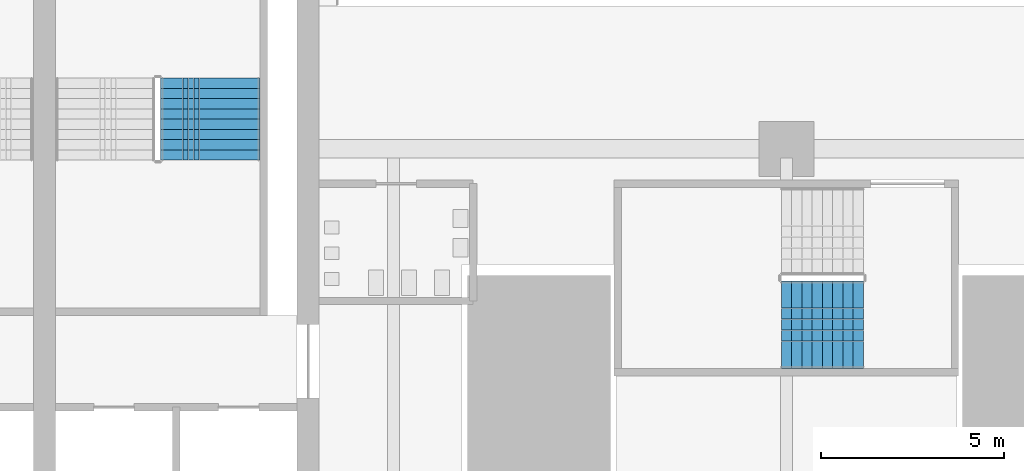
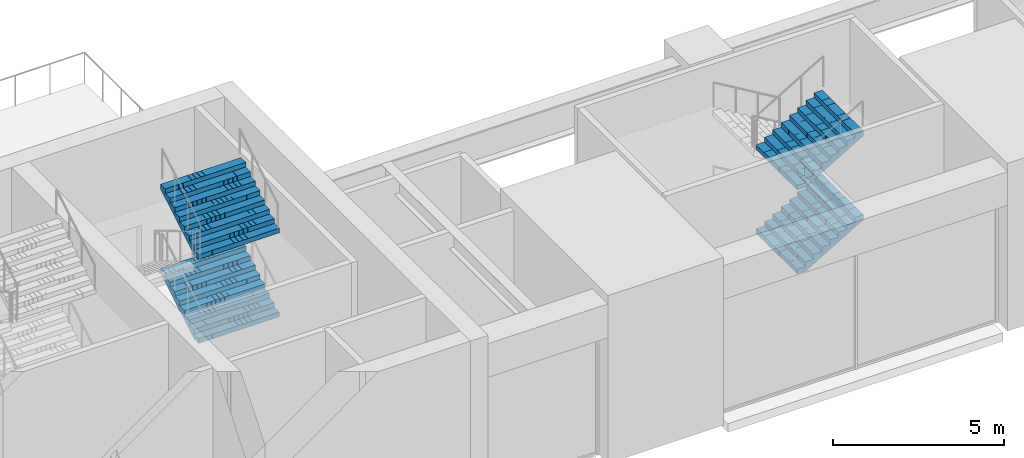
# One storey, part 20 of 41: 4 stair flights, 2 elements without a shape of their own.
"""IFC4 building model written with IfcOpenShell, lengths in metres."""

from ifc_helpers import new_model, si_unit, direction, frame, origin, place, context, subcontext, project, spatial, polyline, outline, extrude, material, type_object, element, aggregate, save


model = new_model("IFC4")

# Units and contexts
model_context = context("Model", 3, precision=1e-05, world=origin(), true_north=direction((0.0, 1.0)))
body_context = subcontext(model_context, "Body", "Model", "MODEL_VIEW")
ifc_project = project(units=[si_unit("LENGTHUNIT", "METRE"), si_unit("AREAUNIT", "SQUARE_METRE"), si_unit("VOLUMEUNIT", "CUBIC_METRE"), si_unit("PLANEANGLEUNIT", "RADIAN"), si_unit("MASSUNIT", "GRAM", prefix="KILO")], contexts=[model_context])

# Site, building, storey
site_placement = place(None, origin())
site = spatial("IfcSite", under=ifc_project, at=site_placement, CompositionType="ELEMENT")
building_placement = place(site_placement, origin())
building = spatial("IfcBuilding", under=site, at=building_placement, Name="Corbelhall Arena Tower", CompositionType="ELEMENT")
storey_placement = place(building_placement, frame((0.0, 0.0, 19.0)))
storey = spatial("IfcBuildingStorey", under=building, at=storey_placement, Name="L02", CompositionType="ELEMENT", Elevation=19.0)

# Stair, stair flights
ifc_material = material(Name="Reinforced concrete C40/50", Category="concrete")
stair_type = type_object("IfcStairType", Name="AR-EXIT-STAIR", PredefinedType="HALF_TURN_STAIR", material=ifc_material)
stair_1_placement = place(storey_placement, origin())
stair_1 = element("IfcStair", 1, at=stair_1_placement, inside=storey, type_object=stair_type, Name="L02 exit stair AS13", PredefinedType="HALF_TURN_STAIR")
stair_flight_type = type_object("IfcStairFlightType", Name="AR-EXIT-FLIGHT", PredefinedType="STRAIGHT", material=ifc_material)
stair_flight_1_placement = place(storey_placement, frame((-20.389892578125, -34.050048828125, 1.5), z_axis=(0.0, 0.0, 1.0), x_axis=(1.0, 0.0, 0.0)))
stair_flight_1 = element("IfcStairFlight", 2, at=stair_flight_1_placement, type_object=stair_flight_type, Name="AS13 flight 2", NumberOfRisers=9, NumberOfTreads=8, PredefinedType="STRAIGHT", RiserHeight=0.166666667, TreadLength=0.28, context=body_context, shape_type="SweptSolid", body=[
    extrude(outline(polyline([(0.0, 0.0), (0.0, 0.166748046875), (0.280029296875, 0.166748046875), (0.280029296875, 0.333251953125), (0.56005859375, 0.333251953125), (0.56005859375, 0.5), (0.840087890625, 0.5), (0.840087890625, 0.666748046875), (1.1201171875, 0.666748046875), (1.1201171875, 0.833251953125), (1.39990234375, 0.833251953125), (1.39990234375, 1.0), (1.679931640625, 1.0), (1.679931640625, 1.166748046875), (1.9599609375, 1.166748046875), (1.9599609375, 1.333251953125), (2.239990234375, 1.333251953125), (2.239990234375, 1.5), (2.239990234375, 1.158935546875), (0.29296875, 0.0), (0.0, 0.0)])), frame((0.0, 1.199951171875, 0.0), z_axis=(0.0, -1.0, 0.0), x_axis=(1.0, 0.0, 0.0)), (0.0, 0.0, 1.0), 0.449951171875),
    extrude(outline(polyline([(0.0, 0.0), (0.0, 0.166748046875), (0.280029296875, 0.166748046875), (0.280029296875, 0.333251953125), (0.56005859375, 0.333251953125), (0.56005859375, 0.5), (0.840087890625, 0.5), (0.840087890625, 0.666748046875), (1.1201171875, 0.666748046875), (1.1201171875, 0.833251953125), (1.39990234375, 0.833251953125), (1.39990234375, 1.0), (1.679931640625, 1.0), (1.679931640625, 1.166748046875), (1.9599609375, 1.166748046875), (1.9599609375, 1.333251953125), (2.239990234375, 1.333251953125), (2.239990234375, 1.5), (2.239990234375, 1.158935546875), (0.29296875, 0.0), (0.0, 0.0)])), frame((0.0, 0.745849609375, 0.0), z_axis=(0.0, -1.0, 0.0), x_axis=(1.0, 0.0, 0.0)), (0.0, 0.0, 1.0), 0.295166015625),
    extrude(outline(polyline([(0.0, 0.0), (0.0, 0.166748046875), (0.280029296875, 0.166748046875), (0.280029296875, 0.333251953125), (0.56005859375, 0.333251953125), (0.56005859375, 0.5), (0.840087890625, 0.5), (0.840087890625, 0.666748046875), (1.1201171875, 0.666748046875), (1.1201171875, 0.833251953125), (1.39990234375, 0.833251953125), (1.39990234375, 1.0), (1.679931640625, 1.0), (1.679931640625, 1.166748046875), (1.9599609375, 1.166748046875), (1.9599609375, 1.333251953125), (2.239990234375, 1.333251953125), (2.239990234375, 1.5), (2.239990234375, 1.158935546875), (0.29296875, 0.0), (0.0, 0.0)])), frame((0.0, 0.44677734375, 0.0), z_axis=(0.0, -1.0, 0.0), x_axis=(1.0, 0.0, 0.0)), (0.0, 0.0, 1.0), 0.295166015625),
    extrude(outline(polyline([(0.0, 0.0), (0.0, 0.166748046875), (0.280029296875, 0.166748046875), (0.280029296875, 0.333251953125), (0.56005859375, 0.333251953125), (0.56005859375, 0.5), (0.840087890625, 0.5), (0.840087890625, 0.666748046875), (1.1201171875, 0.666748046875), (1.1201171875, 0.833251953125), (1.39990234375, 0.833251953125), (1.39990234375, 1.0), (1.679931640625, 1.0), (1.679931640625, 1.166748046875), (1.9599609375, 1.166748046875), (1.9599609375, 1.333251953125), (2.239990234375, 1.333251953125), (2.239990234375, 1.5), (2.239990234375, 1.158935546875), (0.29296875, 0.0), (0.0, 0.0)])), frame((0.0, 0.147705078125, 0.0), z_axis=(0.0, -1.0, 0.0), x_axis=(1.0, 0.0, 0.0)), (0.0, 0.0, 1.0), 0.295166015625),
    extrude(outline(polyline([(0.0, 0.0), (0.0, 0.166748046875), (0.280029296875, 0.166748046875), (0.280029296875, 0.333251953125), (0.56005859375, 0.333251953125), (0.56005859375, 0.5), (0.840087890625, 0.5), (0.840087890625, 0.666748046875), (1.1201171875, 0.666748046875), (1.1201171875, 0.833251953125), (1.39990234375, 0.833251953125), (1.39990234375, 1.0), (1.679931640625, 1.0), (1.679931640625, 1.166748046875), (1.9599609375, 1.166748046875), (1.9599609375, 1.333251953125), (2.239990234375, 1.333251953125), (2.239990234375, 1.5), (2.239990234375, 1.158935546875), (0.29296875, 0.0), (0.0, 0.0)])), frame((0.0, -0.151611328125, 0.0), z_axis=(0.0, -1.0, 0.0), x_axis=(1.0, 0.0, 0.0)), (0.0, 0.0, 1.0), 0.295166015625),
    extrude(outline(polyline([(0.0, 0.0), (0.0, 0.166748046875), (0.280029296875, 0.166748046875), (0.280029296875, 0.333251953125), (0.56005859375, 0.333251953125), (0.56005859375, 0.5), (0.840087890625, 0.5), (0.840087890625, 0.666748046875), (1.1201171875, 0.666748046875), (1.1201171875, 0.833251953125), (1.39990234375, 0.833251953125), (1.39990234375, 1.0), (1.679931640625, 1.0), (1.679931640625, 1.166748046875), (1.9599609375, 1.166748046875), (1.9599609375, 1.333251953125), (2.239990234375, 1.333251953125), (2.239990234375, 1.5), (2.239990234375, 1.158935546875), (0.29296875, 0.0), (0.0, 0.0)])), frame((0.0, -0.45068359375, 0.0), z_axis=(0.0, -1.0, 0.0), x_axis=(1.0, 0.0, 0.0)), (0.0, 0.0, 1.0), 0.295166015625),
    extrude(outline(polyline([(0.0, 0.0), (0.0, 0.166748046875), (0.280029296875, 0.166748046875), (0.280029296875, 0.333251953125), (0.56005859375, 0.333251953125), (0.56005859375, 0.5), (0.840087890625, 0.5), (0.840087890625, 0.666748046875), (1.1201171875, 0.666748046875), (1.1201171875, 0.833251953125), (1.39990234375, 0.833251953125), (1.39990234375, 1.0), (1.679931640625, 1.0), (1.679931640625, 1.166748046875), (1.9599609375, 1.166748046875), (1.9599609375, 1.333251953125), (2.239990234375, 1.333251953125), (2.239990234375, 1.5), (2.239990234375, 1.158935546875), (0.29296875, 0.0), (0.0, 0.0)])), frame((0.0, -0.75, 0.0), z_axis=(0.0, -1.0, 0.0), x_axis=(1.0, 0.0, 0.0)), (0.0, 0.0, 1.0), 0.449951171875),
])
stair_flight_2_placement = place(storey_placement, frame((-20.389892578125, -34.050048828125, 4.5), z_axis=(0.0, 0.0, 1.0), x_axis=(1.0, 0.0, 0.0)))
stair_flight_2 = element("IfcStairFlight", 3, at=stair_flight_2_placement, type_object=stair_flight_type, Name="AS13 flight 4", NumberOfRisers=9, NumberOfTreads=8, PredefinedType="STRAIGHT", RiserHeight=0.166666667, TreadLength=0.28, context=body_context, shape_type="SweptSolid", body=[
    extrude(outline(polyline([(0.0, 0.0), (0.0, 0.166748046875), (0.280029296875, 0.166748046875), (0.280029296875, 0.333251953125), (0.56005859375, 0.333251953125), (0.56005859375, 0.5), (0.840087890625, 0.5), (0.840087890625, 0.666748046875), (1.1201171875, 0.666748046875), (1.1201171875, 0.833251953125), (1.39990234375, 0.833251953125), (1.39990234375, 1.0), (1.679931640625, 1.0), (1.679931640625, 1.166748046875), (1.9599609375, 1.166748046875), (1.9599609375, 1.333251953125), (2.239990234375, 1.333251953125), (2.239990234375, 1.5), (2.239990234375, 1.158935546875), (0.29296875, 0.0), (0.0, 0.0)])), frame((0.0, 1.199951171875, 0.0), z_axis=(0.0, -1.0, 0.0), x_axis=(1.0, 0.0, 0.0)), (0.0, 0.0, 1.0), 0.449951171875),
    extrude(outline(polyline([(0.0, 0.0), (0.0, 0.166748046875), (0.280029296875, 0.166748046875), (0.280029296875, 0.333251953125), (0.56005859375, 0.333251953125), (0.56005859375, 0.5), (0.840087890625, 0.5), (0.840087890625, 0.666748046875), (1.1201171875, 0.666748046875), (1.1201171875, 0.833251953125), (1.39990234375, 0.833251953125), (1.39990234375, 1.0), (1.679931640625, 1.0), (1.679931640625, 1.166748046875), (1.9599609375, 1.166748046875), (1.9599609375, 1.333251953125), (2.239990234375, 1.333251953125), (2.239990234375, 1.5), (2.239990234375, 1.158935546875), (0.29296875, 0.0), (0.0, 0.0)])), frame((0.0, 0.745849609375, 0.0), z_axis=(0.0, -1.0, 0.0), x_axis=(1.0, 0.0, 0.0)), (0.0, 0.0, 1.0), 0.295166015625),
    extrude(outline(polyline([(0.0, 0.0), (0.0, 0.166748046875), (0.280029296875, 0.166748046875), (0.280029296875, 0.333251953125), (0.56005859375, 0.333251953125), (0.56005859375, 0.5), (0.840087890625, 0.5), (0.840087890625, 0.666748046875), (1.1201171875, 0.666748046875), (1.1201171875, 0.833251953125), (1.39990234375, 0.833251953125), (1.39990234375, 1.0), (1.679931640625, 1.0), (1.679931640625, 1.166748046875), (1.9599609375, 1.166748046875), (1.9599609375, 1.333251953125), (2.239990234375, 1.333251953125), (2.239990234375, 1.5), (2.239990234375, 1.158935546875), (0.29296875, 0.0), (0.0, 0.0)])), frame((0.0, 0.44677734375, 0.0), z_axis=(0.0, -1.0, 0.0), x_axis=(1.0, 0.0, 0.0)), (0.0, 0.0, 1.0), 0.295166015625),
    extrude(outline(polyline([(0.0, 0.0), (0.0, 0.166748046875), (0.280029296875, 0.166748046875), (0.280029296875, 0.333251953125), (0.56005859375, 0.333251953125), (0.56005859375, 0.5), (0.840087890625, 0.5), (0.840087890625, 0.666748046875), (1.1201171875, 0.666748046875), (1.1201171875, 0.833251953125), (1.39990234375, 0.833251953125), (1.39990234375, 1.0), (1.679931640625, 1.0), (1.679931640625, 1.166748046875), (1.9599609375, 1.166748046875), (1.9599609375, 1.333251953125), (2.239990234375, 1.333251953125), (2.239990234375, 1.5), (2.239990234375, 1.158935546875), (0.29296875, 0.0), (0.0, 0.0)])), frame((0.0, 0.147705078125, 0.0), z_axis=(0.0, -1.0, 0.0), x_axis=(1.0, 0.0, 0.0)), (0.0, 0.0, 1.0), 0.295166015625),
    extrude(outline(polyline([(0.0, 0.0), (0.0, 0.166748046875), (0.280029296875, 0.166748046875), (0.280029296875, 0.333251953125), (0.56005859375, 0.333251953125), (0.56005859375, 0.5), (0.840087890625, 0.5), (0.840087890625, 0.666748046875), (1.1201171875, 0.666748046875), (1.1201171875, 0.833251953125), (1.39990234375, 0.833251953125), (1.39990234375, 1.0), (1.679931640625, 1.0), (1.679931640625, 1.166748046875), (1.9599609375, 1.166748046875), (1.9599609375, 1.333251953125), (2.239990234375, 1.333251953125), (2.239990234375, 1.5), (2.239990234375, 1.158935546875), (0.29296875, 0.0), (0.0, 0.0)])), frame((0.0, -0.151611328125, 0.0), z_axis=(0.0, -1.0, 0.0), x_axis=(1.0, 0.0, 0.0)), (0.0, 0.0, 1.0), 0.295166015625),
    extrude(outline(polyline([(0.0, 0.0), (0.0, 0.166748046875), (0.280029296875, 0.166748046875), (0.280029296875, 0.333251953125), (0.56005859375, 0.333251953125), (0.56005859375, 0.5), (0.840087890625, 0.5), (0.840087890625, 0.666748046875), (1.1201171875, 0.666748046875), (1.1201171875, 0.833251953125), (1.39990234375, 0.833251953125), (1.39990234375, 1.0), (1.679931640625, 1.0), (1.679931640625, 1.166748046875), (1.9599609375, 1.166748046875), (1.9599609375, 1.333251953125), (2.239990234375, 1.333251953125), (2.239990234375, 1.5), (2.239990234375, 1.158935546875), (0.29296875, 0.0), (0.0, 0.0)])), frame((0.0, -0.45068359375, 0.0), z_axis=(0.0, -1.0, 0.0), x_axis=(1.0, 0.0, 0.0)), (0.0, 0.0, 1.0), 0.295166015625),
    extrude(outline(polyline([(0.0, 0.0), (0.0, 0.166748046875), (0.280029296875, 0.166748046875), (0.280029296875, 0.333251953125), (0.56005859375, 0.333251953125), (0.56005859375, 0.5), (0.840087890625, 0.5), (0.840087890625, 0.666748046875), (1.1201171875, 0.666748046875), (1.1201171875, 0.833251953125), (1.39990234375, 0.833251953125), (1.39990234375, 1.0), (1.679931640625, 1.0), (1.679931640625, 1.166748046875), (1.9599609375, 1.166748046875), (1.9599609375, 1.333251953125), (2.239990234375, 1.333251953125), (2.239990234375, 1.5), (2.239990234375, 1.158935546875), (0.29296875, 0.0), (0.0, 0.0)])), frame((0.0, -0.75, 0.0), z_axis=(0.0, -1.0, 0.0), x_axis=(1.0, 0.0, 0.0)), (0.0, 0.0, 1.0), 0.449951171875),
])
aggregate(stair_1, [stair_flight_1, stair_flight_2])

stair_2_placement = place(storey_placement, origin())
stair_2 = element("IfcStair", 4, at=stair_2_placement, inside=storey, type_object=stair_type, Name="L02 exit stair AS7", PredefinedType="HALF_TURN_STAIR")
stair_flight_3_placement = place(storey_placement, frame((-35.969970703125, -29.56005859375, 1.5), z_axis=(0.0, 0.0, 1.0), x_axis=(0.0, 1.0, 0.0)))
stair_flight_3 = element("IfcStairFlight", 5, at=stair_flight_3_placement, type_object=stair_flight_type, Name="AS7 flight 2", NumberOfRisers=9, NumberOfTreads=8, PredefinedType="STRAIGHT", RiserHeight=0.166666667, TreadLength=0.28, context=body_context, shape_type="SweptSolid", body=[
    extrude(outline(polyline([(0.0, 0.0), (0.0, 0.166748046875), (0.280029296875, 0.166748046875), (0.280029296875, 0.333251953125), (0.56005859375, 0.333251953125), (0.56005859375, 0.5), (0.840087890625, 0.5), (0.840087890625, 0.666748046875), (1.1201171875, 0.666748046875), (1.1201171875, 0.833251953125), (1.39990234375, 0.833251953125), (1.39990234375, 1.0), (1.679931640625, 1.0), (1.679931640625, 1.166748046875), (1.9599609375, 1.166748046875), (1.9599609375, 1.333251953125), (2.239990234375, 1.333251953125), (2.239990234375, 1.5), (2.239990234375, 1.158935546875), (0.29296875, 0.0), (0.0, 0.0)])), frame((0.0, 1.35986328125, 0.0), z_axis=(0.0, -1.0, 0.0), x_axis=(1.0, 0.0, 0.0)), (0.0, 0.0, 1.0), 0.449951171875),
    extrude(outline(polyline([(0.0, 0.0), (0.0, 0.166748046875), (0.280029296875, 0.166748046875), (0.280029296875, 0.333251953125), (0.56005859375, 0.333251953125), (0.56005859375, 0.5), (0.840087890625, 0.5), (0.840087890625, 0.666748046875), (1.1201171875, 0.666748046875), (1.1201171875, 0.833251953125), (1.39990234375, 0.833251953125), (1.39990234375, 1.0), (1.679931640625, 1.0), (1.679931640625, 1.166748046875), (1.9599609375, 1.166748046875), (1.9599609375, 1.333251953125), (2.239990234375, 1.333251953125), (2.239990234375, 1.5), (2.239990234375, 1.158935546875), (0.29296875, 0.0), (0.0, 0.0)])), frame((0.0, 0.906005859375, 0.0), z_axis=(0.0, -1.0, 0.0), x_axis=(1.0, 0.0, 0.0)), (0.0, 0.0, 1.0), 0.147216796875),
    extrude(outline(polyline([(0.0, 0.0), (0.0, 0.166748046875), (0.280029296875, 0.166748046875), (0.280029296875, 0.333251953125), (0.56005859375, 0.333251953125), (0.56005859375, 0.5), (0.840087890625, 0.5), (0.840087890625, 0.666748046875), (1.1201171875, 0.666748046875), (1.1201171875, 0.833251953125), (1.39990234375, 0.833251953125), (1.39990234375, 1.0), (1.679931640625, 1.0), (1.679931640625, 1.166748046875), (1.9599609375, 1.166748046875), (1.9599609375, 1.333251953125), (2.239990234375, 1.333251953125), (2.239990234375, 1.5), (2.239990234375, 1.158935546875), (0.29296875, 0.0), (0.0, 0.0)])), frame((0.0, 0.754638671875, 0.0), z_axis=(0.0, -1.0, 0.0), x_axis=(1.0, 0.0, 0.0)), (0.0, 0.0, 1.0), 0.147216796875),
    extrude(outline(polyline([(0.0, 0.0), (0.0, 0.166748046875), (0.280029296875, 0.166748046875), (0.280029296875, 0.333251953125), (0.56005859375, 0.333251953125), (0.56005859375, 0.5), (0.840087890625, 0.5), (0.840087890625, 0.666748046875), (1.1201171875, 0.666748046875), (1.1201171875, 0.833251953125), (1.39990234375, 0.833251953125), (1.39990234375, 1.0), (1.679931640625, 1.0), (1.679931640625, 1.166748046875), (1.9599609375, 1.166748046875), (1.9599609375, 1.333251953125), (2.239990234375, 1.333251953125), (2.239990234375, 1.5), (2.239990234375, 1.158935546875), (0.29296875, 0.0), (0.0, 0.0)])), frame((0.0, 0.603271484375, 0.0), z_axis=(0.0, -1.0, 0.0), x_axis=(1.0, 0.0, 0.0)), (0.0, 0.0, 1.0), 0.147216796875),
    extrude(outline(polyline([(0.0, 0.0), (0.0, 0.166748046875), (0.280029296875, 0.166748046875), (0.280029296875, 0.333251953125), (0.56005859375, 0.333251953125), (0.56005859375, 0.5), (0.840087890625, 0.5), (0.840087890625, 0.666748046875), (1.1201171875, 0.666748046875), (1.1201171875, 0.833251953125), (1.39990234375, 0.833251953125), (1.39990234375, 1.0), (1.679931640625, 1.0), (1.679931640625, 1.166748046875), (1.9599609375, 1.166748046875), (1.9599609375, 1.333251953125), (2.239990234375, 1.333251953125), (2.239990234375, 1.5), (2.239990234375, 1.158935546875), (0.29296875, 0.0), (0.0, 0.0)])), frame((0.0, 0.451904296875, 0.0), z_axis=(0.0, -1.0, 0.0), x_axis=(1.0, 0.0, 0.0)), (0.0, 0.0, 1.0), 0.147216796875),
    extrude(outline(polyline([(0.0, 0.0), (0.0, 0.166748046875), (0.280029296875, 0.166748046875), (0.280029296875, 0.333251953125), (0.56005859375, 0.333251953125), (0.56005859375, 0.5), (0.840087890625, 0.5), (0.840087890625, 0.666748046875), (1.1201171875, 0.666748046875), (1.1201171875, 0.833251953125), (1.39990234375, 0.833251953125), (1.39990234375, 1.0), (1.679931640625, 1.0), (1.679931640625, 1.166748046875), (1.9599609375, 1.166748046875), (1.9599609375, 1.333251953125), (2.239990234375, 1.333251953125), (2.239990234375, 1.5), (2.239990234375, 1.158935546875), (0.29296875, 0.0), (0.0, 0.0)])), frame((0.0, 0.30078125, 0.0), z_axis=(0.0, -1.0, 0.0), x_axis=(1.0, 0.0, 0.0)), (0.0, 0.0, 1.0), 0.147216796875),
    extrude(outline(polyline([(0.0, 0.0), (0.0, 0.166748046875), (0.280029296875, 0.166748046875), (0.280029296875, 0.333251953125), (0.56005859375, 0.333251953125), (0.56005859375, 0.5), (0.840087890625, 0.5), (0.840087890625, 0.666748046875), (1.1201171875, 0.666748046875), (1.1201171875, 0.833251953125), (1.39990234375, 0.833251953125), (1.39990234375, 1.0), (1.679931640625, 1.0), (1.679931640625, 1.166748046875), (1.9599609375, 1.166748046875), (1.9599609375, 1.333251953125), (2.239990234375, 1.333251953125), (2.239990234375, 1.5), (2.239990234375, 1.158935546875), (0.29296875, 0.0), (0.0, 0.0)])), frame((0.0, 0.1494140625, 0.0), z_axis=(0.0, -1.0, 0.0), x_axis=(1.0, 0.0, 0.0)), (0.0, 0.0, 1.0), 0.147216796875),
    extrude(outline(polyline([(0.0, 0.0), (0.0, 0.166748046875), (0.280029296875, 0.166748046875), (0.280029296875, 0.333251953125), (0.56005859375, 0.333251953125), (0.56005859375, 0.5), (0.840087890625, 0.5), (0.840087890625, 0.666748046875), (1.1201171875, 0.666748046875), (1.1201171875, 0.833251953125), (1.39990234375, 0.833251953125), (1.39990234375, 1.0), (1.679931640625, 1.0), (1.679931640625, 1.166748046875), (1.9599609375, 1.166748046875), (1.9599609375, 1.333251953125), (2.239990234375, 1.333251953125), (2.239990234375, 1.5), (2.239990234375, 1.158935546875), (0.29296875, 0.0), (0.0, 0.0)])), frame((0.0, -0.001953125, 0.0), z_axis=(0.0, -1.0, 0.0), x_axis=(1.0, 0.0, 0.0)), (0.0, 0.0, 1.0), 0.147216796875),
    extrude(outline(polyline([(0.0, 0.0), (0.0, 0.166748046875), (0.280029296875, 0.166748046875), (0.280029296875, 0.333251953125), (0.56005859375, 0.333251953125), (0.56005859375, 0.5), (0.840087890625, 0.5), (0.840087890625, 0.666748046875), (1.1201171875, 0.666748046875), (1.1201171875, 0.833251953125), (1.39990234375, 0.833251953125), (1.39990234375, 1.0), (1.679931640625, 1.0), (1.679931640625, 1.166748046875), (1.9599609375, 1.166748046875), (1.9599609375, 1.333251953125), (2.239990234375, 1.333251953125), (2.239990234375, 1.5), (2.239990234375, 1.158935546875), (0.29296875, 0.0), (0.0, 0.0)])), frame((0.0, -0.1533203125, 0.0), z_axis=(0.0, -1.0, 0.0), x_axis=(1.0, 0.0, 0.0)), (0.0, 0.0, 1.0), 0.147216796875),
    extrude(outline(polyline([(0.0, 0.0), (0.0, 0.166748046875), (0.280029296875, 0.166748046875), (0.280029296875, 0.333251953125), (0.56005859375, 0.333251953125), (0.56005859375, 0.5), (0.840087890625, 0.5), (0.840087890625, 0.666748046875), (1.1201171875, 0.666748046875), (1.1201171875, 0.833251953125), (1.39990234375, 0.833251953125), (1.39990234375, 1.0), (1.679931640625, 1.0), (1.679931640625, 1.166748046875), (1.9599609375, 1.166748046875), (1.9599609375, 1.333251953125), (2.239990234375, 1.333251953125), (2.239990234375, 1.5), (2.239990234375, 1.158935546875), (0.29296875, 0.0), (0.0, 0.0)])), frame((0.0, -0.3046875, 0.0), z_axis=(0.0, -1.0, 0.0), x_axis=(1.0, 0.0, 0.0)), (0.0, 0.0, 1.0), 0.147216796875),
    extrude(outline(polyline([(0.0, 0.0), (0.0, 0.166748046875), (0.280029296875, 0.166748046875), (0.280029296875, 0.333251953125), (0.56005859375, 0.333251953125), (0.56005859375, 0.5), (0.840087890625, 0.5), (0.840087890625, 0.666748046875), (1.1201171875, 0.666748046875), (1.1201171875, 0.833251953125), (1.39990234375, 0.833251953125), (1.39990234375, 1.0), (1.679931640625, 1.0), (1.679931640625, 1.166748046875), (1.9599609375, 1.166748046875), (1.9599609375, 1.333251953125), (2.239990234375, 1.333251953125), (2.239990234375, 1.5), (2.239990234375, 1.158935546875), (0.29296875, 0.0), (0.0, 0.0)])), frame((0.0, -0.4560546875, 0.0), z_axis=(0.0, -1.0, 0.0), x_axis=(1.0, 0.0, 0.0)), (0.0, 0.0, 1.0), 0.147216796875),
    extrude(outline(polyline([(0.0, 0.0), (0.0, 0.166748046875), (0.280029296875, 0.166748046875), (0.280029296875, 0.333251953125), (0.56005859375, 0.333251953125), (0.56005859375, 0.5), (0.840087890625, 0.5), (0.840087890625, 0.666748046875), (1.1201171875, 0.666748046875), (1.1201171875, 0.833251953125), (1.39990234375, 0.833251953125), (1.39990234375, 1.0), (1.679931640625, 1.0), (1.679931640625, 1.166748046875), (1.9599609375, 1.166748046875), (1.9599609375, 1.333251953125), (2.239990234375, 1.333251953125), (2.239990234375, 1.5), (2.239990234375, 1.158935546875), (0.29296875, 0.0), (0.0, 0.0)])), frame((0.0, -0.607421875, 0.0), z_axis=(0.0, -1.0, 0.0), x_axis=(1.0, 0.0, 0.0)), (0.0, 0.0, 1.0), 0.147216796875),
    extrude(outline(polyline([(0.0, 0.0), (0.0, 0.166748046875), (0.280029296875, 0.166748046875), (0.280029296875, 0.333251953125), (0.56005859375, 0.333251953125), (0.56005859375, 0.5), (0.840087890625, 0.5), (0.840087890625, 0.666748046875), (1.1201171875, 0.666748046875), (1.1201171875, 0.833251953125), (1.39990234375, 0.833251953125), (1.39990234375, 1.0), (1.679931640625, 1.0), (1.679931640625, 1.166748046875), (1.9599609375, 1.166748046875), (1.9599609375, 1.333251953125), (2.239990234375, 1.333251953125), (2.239990234375, 1.5), (2.239990234375, 1.158935546875), (0.29296875, 0.0), (0.0, 0.0)])), frame((0.0, -0.758544921875, 0.0), z_axis=(0.0, -1.0, 0.0), x_axis=(1.0, 0.0, 0.0)), (0.0, 0.0, 1.0), 0.147216796875),
    extrude(outline(polyline([(0.0, 0.0), (0.0, 0.166748046875), (0.280029296875, 0.166748046875), (0.280029296875, 0.333251953125), (0.56005859375, 0.333251953125), (0.56005859375, 0.5), (0.840087890625, 0.5), (0.840087890625, 0.666748046875), (1.1201171875, 0.666748046875), (1.1201171875, 0.833251953125), (1.39990234375, 0.833251953125), (1.39990234375, 1.0), (1.679931640625, 1.0), (1.679931640625, 1.166748046875), (1.9599609375, 1.166748046875), (1.9599609375, 1.333251953125), (2.239990234375, 1.333251953125), (2.239990234375, 1.5), (2.239990234375, 1.158935546875), (0.29296875, 0.0), (0.0, 0.0)])), frame((0.0, -0.909912109375, 0.0), z_axis=(0.0, -1.0, 0.0), x_axis=(1.0, 0.0, 0.0)), (0.0, 0.0, 1.0), 0.449951171875),
])
stair_flight_4_placement = place(storey_placement, frame((-35.969970703125, -29.56005859375, 4.5), z_axis=(0.0, 0.0, 1.0), x_axis=(0.0, 1.0, 0.0)))
stair_flight_4 = element("IfcStairFlight", 6, at=stair_flight_4_placement, type_object=stair_flight_type, Name="AS7 flight 4", NumberOfRisers=9, NumberOfTreads=8, PredefinedType="STRAIGHT", RiserHeight=0.166666667, TreadLength=0.28, context=body_context, shape_type="SweptSolid", body=[
    extrude(outline(polyline([(0.0, 0.0), (0.0, 0.166748046875), (0.280029296875, 0.166748046875), (0.280029296875, 0.333251953125), (0.56005859375, 0.333251953125), (0.56005859375, 0.5), (0.840087890625, 0.5), (0.840087890625, 0.666748046875), (1.1201171875, 0.666748046875), (1.1201171875, 0.833251953125), (1.39990234375, 0.833251953125), (1.39990234375, 1.0), (1.679931640625, 1.0), (1.679931640625, 1.166748046875), (1.9599609375, 1.166748046875), (1.9599609375, 1.333251953125), (2.239990234375, 1.333251953125), (2.239990234375, 1.5), (2.239990234375, 1.158935546875), (0.29296875, 0.0), (0.0, 0.0)])), frame((0.0, 1.35986328125, 0.0), z_axis=(0.0, -1.0, 0.0), x_axis=(1.0, 0.0, 0.0)), (0.0, 0.0, 1.0), 0.449951171875),
    extrude(outline(polyline([(0.0, 0.0), (0.0, 0.166748046875), (0.280029296875, 0.166748046875), (0.280029296875, 0.333251953125), (0.56005859375, 0.333251953125), (0.56005859375, 0.5), (0.840087890625, 0.5), (0.840087890625, 0.666748046875), (1.1201171875, 0.666748046875), (1.1201171875, 0.833251953125), (1.39990234375, 0.833251953125), (1.39990234375, 1.0), (1.679931640625, 1.0), (1.679931640625, 1.166748046875), (1.9599609375, 1.166748046875), (1.9599609375, 1.333251953125), (2.239990234375, 1.333251953125), (2.239990234375, 1.5), (2.239990234375, 1.158935546875), (0.29296875, 0.0), (0.0, 0.0)])), frame((0.0, 0.906005859375, 0.0), z_axis=(0.0, -1.0, 0.0), x_axis=(1.0, 0.0, 0.0)), (0.0, 0.0, 1.0), 0.147216796875),
    extrude(outline(polyline([(0.0, 0.0), (0.0, 0.166748046875), (0.280029296875, 0.166748046875), (0.280029296875, 0.333251953125), (0.56005859375, 0.333251953125), (0.56005859375, 0.5), (0.840087890625, 0.5), (0.840087890625, 0.666748046875), (1.1201171875, 0.666748046875), (1.1201171875, 0.833251953125), (1.39990234375, 0.833251953125), (1.39990234375, 1.0), (1.679931640625, 1.0), (1.679931640625, 1.166748046875), (1.9599609375, 1.166748046875), (1.9599609375, 1.333251953125), (2.239990234375, 1.333251953125), (2.239990234375, 1.5), (2.239990234375, 1.158935546875), (0.29296875, 0.0), (0.0, 0.0)])), frame((0.0, 0.754638671875, 0.0), z_axis=(0.0, -1.0, 0.0), x_axis=(1.0, 0.0, 0.0)), (0.0, 0.0, 1.0), 0.147216796875),
    extrude(outline(polyline([(0.0, 0.0), (0.0, 0.166748046875), (0.280029296875, 0.166748046875), (0.280029296875, 0.333251953125), (0.56005859375, 0.333251953125), (0.56005859375, 0.5), (0.840087890625, 0.5), (0.840087890625, 0.666748046875), (1.1201171875, 0.666748046875), (1.1201171875, 0.833251953125), (1.39990234375, 0.833251953125), (1.39990234375, 1.0), (1.679931640625, 1.0), (1.679931640625, 1.166748046875), (1.9599609375, 1.166748046875), (1.9599609375, 1.333251953125), (2.239990234375, 1.333251953125), (2.239990234375, 1.5), (2.239990234375, 1.158935546875), (0.29296875, 0.0), (0.0, 0.0)])), frame((0.0, 0.603271484375, 0.0), z_axis=(0.0, -1.0, 0.0), x_axis=(1.0, 0.0, 0.0)), (0.0, 0.0, 1.0), 0.147216796875),
    extrude(outline(polyline([(0.0, 0.0), (0.0, 0.166748046875), (0.280029296875, 0.166748046875), (0.280029296875, 0.333251953125), (0.56005859375, 0.333251953125), (0.56005859375, 0.5), (0.840087890625, 0.5), (0.840087890625, 0.666748046875), (1.1201171875, 0.666748046875), (1.1201171875, 0.833251953125), (1.39990234375, 0.833251953125), (1.39990234375, 1.0), (1.679931640625, 1.0), (1.679931640625, 1.166748046875), (1.9599609375, 1.166748046875), (1.9599609375, 1.333251953125), (2.239990234375, 1.333251953125), (2.239990234375, 1.5), (2.239990234375, 1.158935546875), (0.29296875, 0.0), (0.0, 0.0)])), frame((0.0, 0.451904296875, 0.0), z_axis=(0.0, -1.0, 0.0), x_axis=(1.0, 0.0, 0.0)), (0.0, 0.0, 1.0), 0.147216796875),
    extrude(outline(polyline([(0.0, 0.0), (0.0, 0.166748046875), (0.280029296875, 0.166748046875), (0.280029296875, 0.333251953125), (0.56005859375, 0.333251953125), (0.56005859375, 0.5), (0.840087890625, 0.5), (0.840087890625, 0.666748046875), (1.1201171875, 0.666748046875), (1.1201171875, 0.833251953125), (1.39990234375, 0.833251953125), (1.39990234375, 1.0), (1.679931640625, 1.0), (1.679931640625, 1.166748046875), (1.9599609375, 1.166748046875), (1.9599609375, 1.333251953125), (2.239990234375, 1.333251953125), (2.239990234375, 1.5), (2.239990234375, 1.158935546875), (0.29296875, 0.0), (0.0, 0.0)])), frame((0.0, 0.30078125, 0.0), z_axis=(0.0, -1.0, 0.0), x_axis=(1.0, 0.0, 0.0)), (0.0, 0.0, 1.0), 0.147216796875),
    extrude(outline(polyline([(0.0, 0.0), (0.0, 0.166748046875), (0.280029296875, 0.166748046875), (0.280029296875, 0.333251953125), (0.56005859375, 0.333251953125), (0.56005859375, 0.5), (0.840087890625, 0.5), (0.840087890625, 0.666748046875), (1.1201171875, 0.666748046875), (1.1201171875, 0.833251953125), (1.39990234375, 0.833251953125), (1.39990234375, 1.0), (1.679931640625, 1.0), (1.679931640625, 1.166748046875), (1.9599609375, 1.166748046875), (1.9599609375, 1.333251953125), (2.239990234375, 1.333251953125), (2.239990234375, 1.5), (2.239990234375, 1.158935546875), (0.29296875, 0.0), (0.0, 0.0)])), frame((0.0, 0.1494140625, 0.0), z_axis=(0.0, -1.0, 0.0), x_axis=(1.0, 0.0, 0.0)), (0.0, 0.0, 1.0), 0.147216796875),
    extrude(outline(polyline([(0.0, 0.0), (0.0, 0.166748046875), (0.280029296875, 0.166748046875), (0.280029296875, 0.333251953125), (0.56005859375, 0.333251953125), (0.56005859375, 0.5), (0.840087890625, 0.5), (0.840087890625, 0.666748046875), (1.1201171875, 0.666748046875), (1.1201171875, 0.833251953125), (1.39990234375, 0.833251953125), (1.39990234375, 1.0), (1.679931640625, 1.0), (1.679931640625, 1.166748046875), (1.9599609375, 1.166748046875), (1.9599609375, 1.333251953125), (2.239990234375, 1.333251953125), (2.239990234375, 1.5), (2.239990234375, 1.158935546875), (0.29296875, 0.0), (0.0, 0.0)])), frame((0.0, -0.001953125, 0.0), z_axis=(0.0, -1.0, 0.0), x_axis=(1.0, 0.0, 0.0)), (0.0, 0.0, 1.0), 0.147216796875),
    extrude(outline(polyline([(0.0, 0.0), (0.0, 0.166748046875), (0.280029296875, 0.166748046875), (0.280029296875, 0.333251953125), (0.56005859375, 0.333251953125), (0.56005859375, 0.5), (0.840087890625, 0.5), (0.840087890625, 0.666748046875), (1.1201171875, 0.666748046875), (1.1201171875, 0.833251953125), (1.39990234375, 0.833251953125), (1.39990234375, 1.0), (1.679931640625, 1.0), (1.679931640625, 1.166748046875), (1.9599609375, 1.166748046875), (1.9599609375, 1.333251953125), (2.239990234375, 1.333251953125), (2.239990234375, 1.5), (2.239990234375, 1.158935546875), (0.29296875, 0.0), (0.0, 0.0)])), frame((0.0, -0.1533203125, 0.0), z_axis=(0.0, -1.0, 0.0), x_axis=(1.0, 0.0, 0.0)), (0.0, 0.0, 1.0), 0.147216796875),
    extrude(outline(polyline([(0.0, 0.0), (0.0, 0.166748046875), (0.280029296875, 0.166748046875), (0.280029296875, 0.333251953125), (0.56005859375, 0.333251953125), (0.56005859375, 0.5), (0.840087890625, 0.5), (0.840087890625, 0.666748046875), (1.1201171875, 0.666748046875), (1.1201171875, 0.833251953125), (1.39990234375, 0.833251953125), (1.39990234375, 1.0), (1.679931640625, 1.0), (1.679931640625, 1.166748046875), (1.9599609375, 1.166748046875), (1.9599609375, 1.333251953125), (2.239990234375, 1.333251953125), (2.239990234375, 1.5), (2.239990234375, 1.158935546875), (0.29296875, 0.0), (0.0, 0.0)])), frame((0.0, -0.3046875, 0.0), z_axis=(0.0, -1.0, 0.0), x_axis=(1.0, 0.0, 0.0)), (0.0, 0.0, 1.0), 0.147216796875),
    extrude(outline(polyline([(0.0, 0.0), (0.0, 0.166748046875), (0.280029296875, 0.166748046875), (0.280029296875, 0.333251953125), (0.56005859375, 0.333251953125), (0.56005859375, 0.5), (0.840087890625, 0.5), (0.840087890625, 0.666748046875), (1.1201171875, 0.666748046875), (1.1201171875, 0.833251953125), (1.39990234375, 0.833251953125), (1.39990234375, 1.0), (1.679931640625, 1.0), (1.679931640625, 1.166748046875), (1.9599609375, 1.166748046875), (1.9599609375, 1.333251953125), (2.239990234375, 1.333251953125), (2.239990234375, 1.5), (2.239990234375, 1.158935546875), (0.29296875, 0.0), (0.0, 0.0)])), frame((0.0, -0.4560546875, 0.0), z_axis=(0.0, -1.0, 0.0), x_axis=(1.0, 0.0, 0.0)), (0.0, 0.0, 1.0), 0.147216796875),
    extrude(outline(polyline([(0.0, 0.0), (0.0, 0.166748046875), (0.280029296875, 0.166748046875), (0.280029296875, 0.333251953125), (0.56005859375, 0.333251953125), (0.56005859375, 0.5), (0.840087890625, 0.5), (0.840087890625, 0.666748046875), (1.1201171875, 0.666748046875), (1.1201171875, 0.833251953125), (1.39990234375, 0.833251953125), (1.39990234375, 1.0), (1.679931640625, 1.0), (1.679931640625, 1.166748046875), (1.9599609375, 1.166748046875), (1.9599609375, 1.333251953125), (2.239990234375, 1.333251953125), (2.239990234375, 1.5), (2.239990234375, 1.158935546875), (0.29296875, 0.0), (0.0, 0.0)])), frame((0.0, -0.607421875, 0.0), z_axis=(0.0, -1.0, 0.0), x_axis=(1.0, 0.0, 0.0)), (0.0, 0.0, 1.0), 0.147216796875),
    extrude(outline(polyline([(0.0, 0.0), (0.0, 0.166748046875), (0.280029296875, 0.166748046875), (0.280029296875, 0.333251953125), (0.56005859375, 0.333251953125), (0.56005859375, 0.5), (0.840087890625, 0.5), (0.840087890625, 0.666748046875), (1.1201171875, 0.666748046875), (1.1201171875, 0.833251953125), (1.39990234375, 0.833251953125), (1.39990234375, 1.0), (1.679931640625, 1.0), (1.679931640625, 1.166748046875), (1.9599609375, 1.166748046875), (1.9599609375, 1.333251953125), (2.239990234375, 1.333251953125), (2.239990234375, 1.5), (2.239990234375, 1.158935546875), (0.29296875, 0.0), (0.0, 0.0)])), frame((0.0, -0.758544921875, 0.0), z_axis=(0.0, -1.0, 0.0), x_axis=(1.0, 0.0, 0.0)), (0.0, 0.0, 1.0), 0.147216796875),
    extrude(outline(polyline([(0.0, 0.0), (0.0, 0.166748046875), (0.280029296875, 0.166748046875), (0.280029296875, 0.333251953125), (0.56005859375, 0.333251953125), (0.56005859375, 0.5), (0.840087890625, 0.5), (0.840087890625, 0.666748046875), (1.1201171875, 0.666748046875), (1.1201171875, 0.833251953125), (1.39990234375, 0.833251953125), (1.39990234375, 1.0), (1.679931640625, 1.0), (1.679931640625, 1.166748046875), (1.9599609375, 1.166748046875), (1.9599609375, 1.333251953125), (2.239990234375, 1.333251953125), (2.239990234375, 1.5), (2.239990234375, 1.158935546875), (0.29296875, 0.0), (0.0, 0.0)])), frame((0.0, -0.909912109375, 0.0), z_axis=(0.0, -1.0, 0.0), x_axis=(1.0, 0.0, 0.0)), (0.0, 0.0, 1.0), 0.449951171875),
])
aggregate(stair_2, [stair_flight_3, stair_flight_4])

save(model, "model.ifc")
